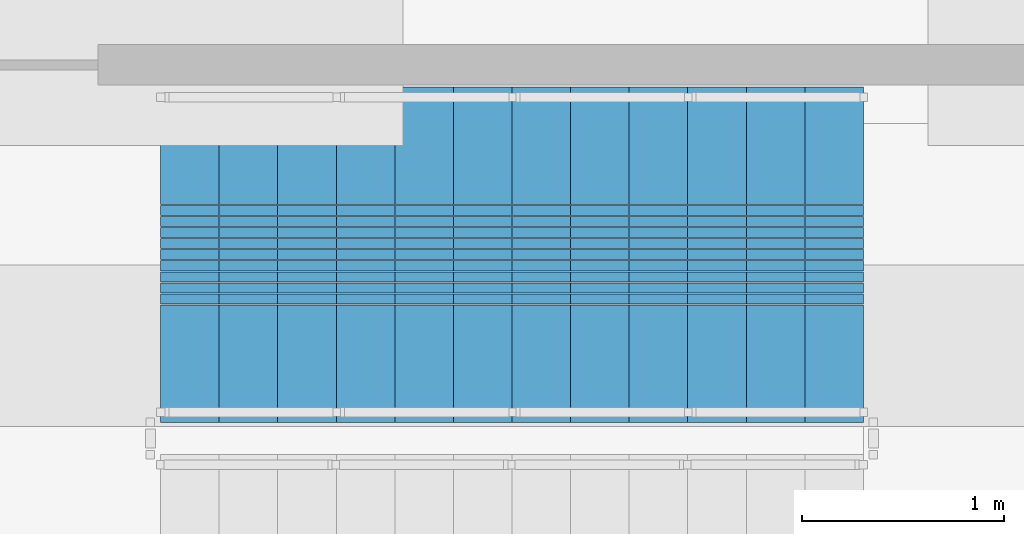
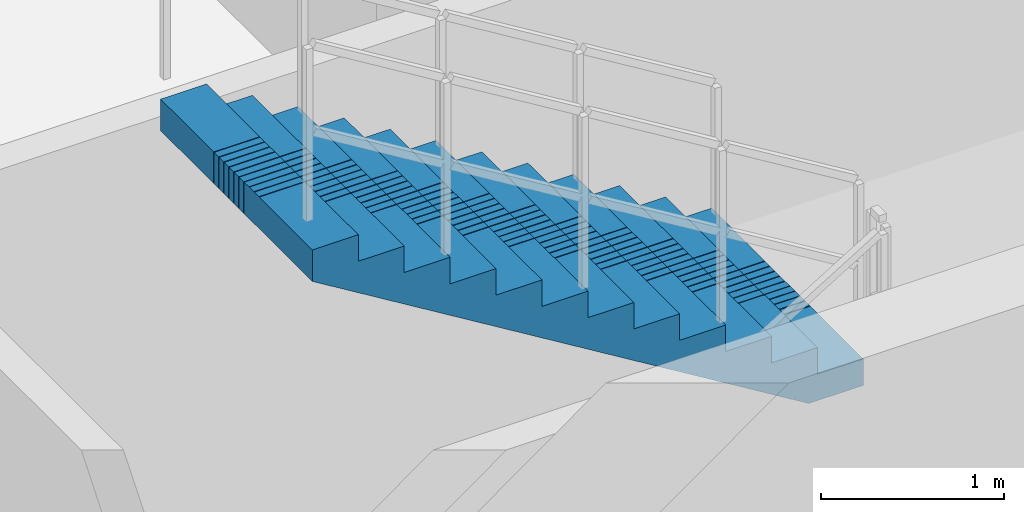
# One storey, part 9 of 14: 1 stair flight, 1 element without a shape of its own.
"""IFC4 building model written with IfcOpenShell, lengths in metres."""

from ifc_helpers import new_model, si_unit, direction, frame, origin, place, context, subcontext, project, spatial, polyline, outline, extrude, material, type_object, element, aggregate, save


model = new_model("IFC4")

# Units and contexts
model_context = context("Model", 3, precision=1e-05, world=origin(), true_north=direction((0.0, 1.0)))
body_context = subcontext(model_context, "Body", "Model", "MODEL_VIEW")
ifc_project = project(units=[si_unit("LENGTHUNIT", "METRE"), si_unit("AREAUNIT", "SQUARE_METRE"), si_unit("VOLUMEUNIT", "CUBIC_METRE"), si_unit("PLANEANGLEUNIT", "RADIAN"), si_unit("MASSUNIT", "GRAM", prefix="KILO")], contexts=[model_context])

# Site, building, storey
site_placement = place(None, origin())
site = spatial("IfcSite", under=ifc_project, at=site_placement, CompositionType="ELEMENT")
building_placement = place(site_placement, origin())
building = spatial("IfcBuilding", under=site, at=building_placement, Name="Saelheon Loggia Tower", CompositionType="ELEMENT")
storey_placement = place(building_placement, frame((0.0, 0.0, -9.199951171875)))
storey = spatial("IfcBuildingStorey", under=building, at=storey_placement, Name="B2", CompositionType="ELEMENT", Elevation=-9.199951171875)

# Stair, stair flight
ifc_material = material(Name="Concrete C40/50", Category="concrete")
stair_type = type_object("IfcStairType", Name="Stair_Escape_Podium", PredefinedType="HALF_TURN_STAIR", material=ifc_material)
stair_placement = place(storey_placement, origin())
stair = element("IfcStair", 1, at=stair_placement, inside=storey, type_object=stair_type, Name="B2 Podium Escape Stair ST4", PredefinedType="HALF_TURN_STAIR")
stair_flight_type = type_object("IfcStairFlightType", Name="StairFlight_Podium_1660", PredefinedType="STRAIGHT", material=ifc_material)
stair_flight_placement = place(storey_placement, frame((69.330078125, 3.449951171875, 2.300048828125), z_axis=(0.0, 0.0, 1.0), x_axis=(-1.0, 0.0, 0.0)))
stair_flight = element("IfcStairFlight", 2, at=stair_flight_placement, type_object=stair_flight_type, Name="ST4 flight 2", NumberOfRisers=13, NumberOfTreads=12, PredefinedType="STRAIGHT", RiserHeight=0.176923077, TreadLength=0.29, context=body_context, shape_type="SweptSolid", body=[
    extrude(outline(polyline([(0.0, 0.0), (0.0, 0.177001953125), (0.2900390625, 0.177001953125), (0.2900390625, 0.353759765625), (0.580078125, 0.353759765625), (0.580078125, 0.53076171875), (0.8701171875, 0.53076171875), (0.8701171875, 0.707763671875), (1.159912109375, 0.707763671875), (1.159912109375, 0.884521484375), (1.449951171875, 0.884521484375), (1.449951171875, 1.0615234375), (1.739990234375, 1.0615234375), (1.739990234375, 1.238525390625), (2.030029296875, 1.238525390625), (2.030029296875, 1.415283203125), (2.320068359375, 1.415283203125), (2.320068359375, 1.59228515625), (2.610107421875, 1.59228515625), (2.610107421875, 1.769287109375), (2.89990234375, 1.769287109375), (2.89990234375, 1.946044921875), (3.18994140625, 1.946044921875), (3.18994140625, 2.123046875), (3.47998046875, 2.123046875), (3.47998046875, 2.300048828125), (3.47998046875, 1.912353515625), (0.345458984375, 0.0), (0.0, 0.0)])), frame((0.0, -0.2490234375, 0.0), z_axis=(0.0, -1.0, 0.0), x_axis=(1.0, 0.0, 0.0)), (0.0, 0.0, 1.0), 0.5810546875),
    extrude(outline(polyline([(0.0, 0.0), (0.0, 0.177001953125), (0.2900390625, 0.177001953125), (0.2900390625, 0.353759765625), (0.580078125, 0.353759765625), (0.580078125, 0.53076171875), (0.8701171875, 0.53076171875), (0.8701171875, 0.707763671875), (1.159912109375, 0.707763671875), (1.159912109375, 0.884521484375), (1.449951171875, 0.884521484375), (1.449951171875, 1.0615234375), (1.739990234375, 1.0615234375), (1.739990234375, 1.238525390625), (2.030029296875, 1.238525390625), (2.030029296875, 1.415283203125), (2.320068359375, 1.415283203125), (2.320068359375, 1.59228515625), (2.610107421875, 1.59228515625), (2.610107421875, 1.769287109375), (2.89990234375, 1.769287109375), (2.89990234375, 1.946044921875), (3.18994140625, 1.946044921875), (3.18994140625, 2.123046875), (3.47998046875, 2.123046875), (3.47998046875, 2.300048828125), (3.47998046875, 1.912353515625), (0.345458984375, 0.0), (0.0, 0.0)])), frame((0.0, -0.194091796875, 0.0), z_axis=(0.0, -1.0, 0.0), x_axis=(1.0, 0.0, 0.0)), (0.0, 0.0, 1.0), 0.0498046875),
    extrude(outline(polyline([(0.0, 0.0), (0.0, 0.177001953125), (0.2900390625, 0.177001953125), (0.2900390625, 0.353759765625), (0.580078125, 0.353759765625), (0.580078125, 0.53076171875), (0.8701171875, 0.53076171875), (0.8701171875, 0.707763671875), (1.159912109375, 0.707763671875), (1.159912109375, 0.884521484375), (1.449951171875, 0.884521484375), (1.449951171875, 1.0615234375), (1.739990234375, 1.0615234375), (1.739990234375, 1.238525390625), (2.030029296875, 1.238525390625), (2.030029296875, 1.415283203125), (2.320068359375, 1.415283203125), (2.320068359375, 1.59228515625), (2.610107421875, 1.59228515625), (2.610107421875, 1.769287109375), (2.89990234375, 1.769287109375), (2.89990234375, 1.946044921875), (3.18994140625, 1.946044921875), (3.18994140625, 2.123046875), (3.47998046875, 2.123046875), (3.47998046875, 2.300048828125), (3.47998046875, 1.912353515625), (0.345458984375, 0.0), (0.0, 0.0)])), frame((0.0, -0.139404296875, 0.0), z_axis=(0.0, -1.0, 0.0), x_axis=(1.0, 0.0, 0.0)), (0.0, 0.0, 1.0), 0.0498046875),
    extrude(outline(polyline([(0.0, 0.0), (0.0, 0.177001953125), (0.2900390625, 0.177001953125), (0.2900390625, 0.353759765625), (0.580078125, 0.353759765625), (0.580078125, 0.53076171875), (0.8701171875, 0.53076171875), (0.8701171875, 0.707763671875), (1.159912109375, 0.707763671875), (1.159912109375, 0.884521484375), (1.449951171875, 0.884521484375), (1.449951171875, 1.0615234375), (1.739990234375, 1.0615234375), (1.739990234375, 1.238525390625), (2.030029296875, 1.238525390625), (2.030029296875, 1.415283203125), (2.320068359375, 1.415283203125), (2.320068359375, 1.59228515625), (2.610107421875, 1.59228515625), (2.610107421875, 1.769287109375), (2.89990234375, 1.769287109375), (2.89990234375, 1.946044921875), (3.18994140625, 1.946044921875), (3.18994140625, 2.123046875), (3.47998046875, 2.123046875), (3.47998046875, 2.300048828125), (3.47998046875, 1.912353515625), (0.345458984375, 0.0), (0.0, 0.0)])), frame((0.0, -0.084716796875, 0.0), z_axis=(0.0, -1.0, 0.0), x_axis=(1.0, 0.0, 0.0)), (0.0, 0.0, 1.0), 0.0498046875),
    extrude(outline(polyline([(0.0, 0.0), (0.0, 0.177001953125), (0.2900390625, 0.177001953125), (0.2900390625, 0.353759765625), (0.580078125, 0.353759765625), (0.580078125, 0.53076171875), (0.8701171875, 0.53076171875), (0.8701171875, 0.707763671875), (1.159912109375, 0.707763671875), (1.159912109375, 0.884521484375), (1.449951171875, 0.884521484375), (1.449951171875, 1.0615234375), (1.739990234375, 1.0615234375), (1.739990234375, 1.238525390625), (2.030029296875, 1.238525390625), (2.030029296875, 1.415283203125), (2.320068359375, 1.415283203125), (2.320068359375, 1.59228515625), (2.610107421875, 1.59228515625), (2.610107421875, 1.769287109375), (2.89990234375, 1.769287109375), (2.89990234375, 1.946044921875), (3.18994140625, 1.946044921875), (3.18994140625, 2.123046875), (3.47998046875, 2.123046875), (3.47998046875, 2.300048828125), (3.47998046875, 1.912353515625), (0.345458984375, 0.0), (0.0, 0.0)])), frame((0.0, -0.02978515625, 0.0), z_axis=(0.0, -1.0, 0.0), x_axis=(1.0, 0.0, 0.0)), (0.0, 0.0, 1.0), 0.0498046875),
    extrude(outline(polyline([(0.0, 0.0), (0.0, 0.177001953125), (0.2900390625, 0.177001953125), (0.2900390625, 0.353759765625), (0.580078125, 0.353759765625), (0.580078125, 0.53076171875), (0.8701171875, 0.53076171875), (0.8701171875, 0.707763671875), (1.159912109375, 0.707763671875), (1.159912109375, 0.884521484375), (1.449951171875, 0.884521484375), (1.449951171875, 1.0615234375), (1.739990234375, 1.0615234375), (1.739990234375, 1.238525390625), (2.030029296875, 1.238525390625), (2.030029296875, 1.415283203125), (2.320068359375, 1.415283203125), (2.320068359375, 1.59228515625), (2.610107421875, 1.59228515625), (2.610107421875, 1.769287109375), (2.89990234375, 1.769287109375), (2.89990234375, 1.946044921875), (3.18994140625, 1.946044921875), (3.18994140625, 2.123046875), (3.47998046875, 2.123046875), (3.47998046875, 2.300048828125), (3.47998046875, 1.912353515625), (0.345458984375, 0.0), (0.0, 0.0)])), frame((0.0, 0.02490234375, 0.0), z_axis=(0.0, -1.0, 0.0), x_axis=(1.0, 0.0, 0.0)), (0.0, 0.0, 1.0), 0.0498046875),
    extrude(outline(polyline([(0.0, 0.0), (0.0, 0.177001953125), (0.2900390625, 0.177001953125), (0.2900390625, 0.353759765625), (0.580078125, 0.353759765625), (0.580078125, 0.53076171875), (0.8701171875, 0.53076171875), (0.8701171875, 0.707763671875), (1.159912109375, 0.707763671875), (1.159912109375, 0.884521484375), (1.449951171875, 0.884521484375), (1.449951171875, 1.0615234375), (1.739990234375, 1.0615234375), (1.739990234375, 1.238525390625), (2.030029296875, 1.238525390625), (2.030029296875, 1.415283203125), (2.320068359375, 1.415283203125), (2.320068359375, 1.59228515625), (2.610107421875, 1.59228515625), (2.610107421875, 1.769287109375), (2.89990234375, 1.769287109375), (2.89990234375, 1.946044921875), (3.18994140625, 1.946044921875), (3.18994140625, 2.123046875), (3.47998046875, 2.123046875), (3.47998046875, 2.300048828125), (3.47998046875, 1.912353515625), (0.345458984375, 0.0), (0.0, 0.0)])), frame((0.0, 0.07958984375, 0.0), z_axis=(0.0, -1.0, 0.0), x_axis=(1.0, 0.0, 0.0)), (0.0, 0.0, 1.0), 0.0498046875),
    extrude(outline(polyline([(0.0, 0.0), (0.0, 0.177001953125), (0.2900390625, 0.177001953125), (0.2900390625, 0.353759765625), (0.580078125, 0.353759765625), (0.580078125, 0.53076171875), (0.8701171875, 0.53076171875), (0.8701171875, 0.707763671875), (1.159912109375, 0.707763671875), (1.159912109375, 0.884521484375), (1.449951171875, 0.884521484375), (1.449951171875, 1.0615234375), (1.739990234375, 1.0615234375), (1.739990234375, 1.238525390625), (2.030029296875, 1.238525390625), (2.030029296875, 1.415283203125), (2.320068359375, 1.415283203125), (2.320068359375, 1.59228515625), (2.610107421875, 1.59228515625), (2.610107421875, 1.769287109375), (2.89990234375, 1.769287109375), (2.89990234375, 1.946044921875), (3.18994140625, 1.946044921875), (3.18994140625, 2.123046875), (3.47998046875, 2.123046875), (3.47998046875, 2.300048828125), (3.47998046875, 1.912353515625), (0.345458984375, 0.0), (0.0, 0.0)])), frame((0.0, 0.134521484375, 0.0), z_axis=(0.0, -1.0, 0.0), x_axis=(1.0, 0.0, 0.0)), (0.0, 0.0, 1.0), 0.0498046875),
    extrude(outline(polyline([(0.0, 0.0), (0.0, 0.177001953125), (0.2900390625, 0.177001953125), (0.2900390625, 0.353759765625), (0.580078125, 0.353759765625), (0.580078125, 0.53076171875), (0.8701171875, 0.53076171875), (0.8701171875, 0.707763671875), (1.159912109375, 0.707763671875), (1.159912109375, 0.884521484375), (1.449951171875, 0.884521484375), (1.449951171875, 1.0615234375), (1.739990234375, 1.0615234375), (1.739990234375, 1.238525390625), (2.030029296875, 1.238525390625), (2.030029296875, 1.415283203125), (2.320068359375, 1.415283203125), (2.320068359375, 1.59228515625), (2.610107421875, 1.59228515625), (2.610107421875, 1.769287109375), (2.89990234375, 1.769287109375), (2.89990234375, 1.946044921875), (3.18994140625, 1.946044921875), (3.18994140625, 2.123046875), (3.47998046875, 2.123046875), (3.47998046875, 2.300048828125), (3.47998046875, 1.912353515625), (0.345458984375, 0.0), (0.0, 0.0)])), frame((0.0, 0.189208984375, 0.0), z_axis=(0.0, -1.0, 0.0), x_axis=(1.0, 0.0, 0.0)), (0.0, 0.0, 1.0), 0.0498046875),
    extrude(outline(polyline([(0.0, 0.0), (0.0, 0.177001953125), (0.2900390625, 0.177001953125), (0.2900390625, 0.353759765625), (0.580078125, 0.353759765625), (0.580078125, 0.53076171875), (0.8701171875, 0.53076171875), (0.8701171875, 0.707763671875), (1.159912109375, 0.707763671875), (1.159912109375, 0.884521484375), (1.449951171875, 0.884521484375), (1.449951171875, 1.0615234375), (1.739990234375, 1.0615234375), (1.739990234375, 1.238525390625), (2.030029296875, 1.238525390625), (2.030029296875, 1.415283203125), (2.320068359375, 1.415283203125), (2.320068359375, 1.59228515625), (2.610107421875, 1.59228515625), (2.610107421875, 1.769287109375), (2.89990234375, 1.769287109375), (2.89990234375, 1.946044921875), (3.18994140625, 1.946044921875), (3.18994140625, 2.123046875), (3.47998046875, 2.123046875), (3.47998046875, 2.300048828125), (3.47998046875, 1.912353515625), (0.345458984375, 0.0), (0.0, 0.0)])), frame((0.0, 0.243896484375, 0.0), z_axis=(0.0, -1.0, 0.0), x_axis=(1.0, 0.0, 0.0)), (0.0, 0.0, 1.0), 0.0498046875),
    extrude(outline(polyline([(0.0, 0.0), (0.0, 0.177001953125), (0.2900390625, 0.177001953125), (0.2900390625, 0.353759765625), (0.580078125, 0.353759765625), (0.580078125, 0.53076171875), (0.8701171875, 0.53076171875), (0.8701171875, 0.707763671875), (1.159912109375, 0.707763671875), (1.159912109375, 0.884521484375), (1.449951171875, 0.884521484375), (1.449951171875, 1.0615234375), (1.739990234375, 1.0615234375), (1.739990234375, 1.238525390625), (2.030029296875, 1.238525390625), (2.030029296875, 1.415283203125), (2.320068359375, 1.415283203125), (2.320068359375, 1.59228515625), (2.610107421875, 1.59228515625), (2.610107421875, 1.769287109375), (2.89990234375, 1.769287109375), (2.89990234375, 1.946044921875), (3.18994140625, 1.946044921875), (3.18994140625, 2.123046875), (3.47998046875, 2.123046875), (3.47998046875, 2.300048828125), (3.47998046875, 1.912353515625), (0.345458984375, 0.0), (0.0, 0.0)])), frame((0.0, 0.830078125, 0.0), z_axis=(0.0, -1.0, 0.0), x_axis=(1.0, 0.0, 0.0)), (0.0, 0.0, 1.0), 0.5810546875),
])
aggregate(stair, [stair_flight])

save(model, "model.ifc")
